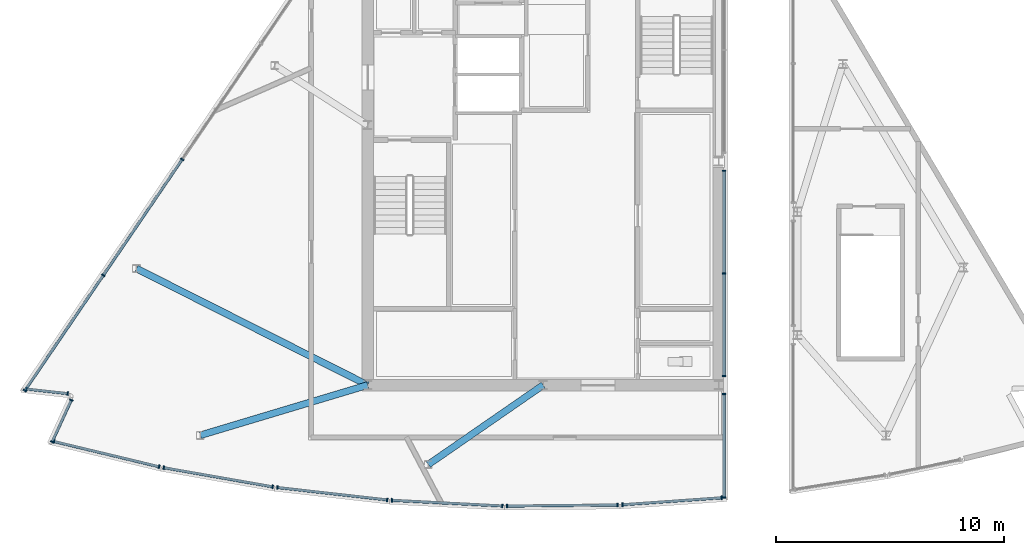
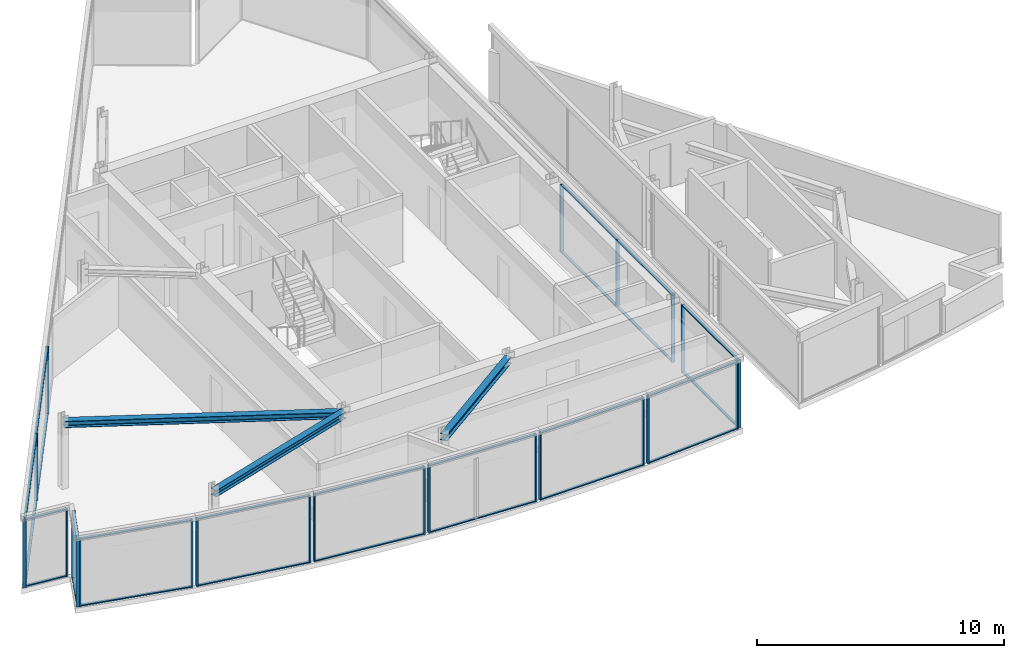
# One storey, part 3 of 13: 50 members, 3 beams, 11 elements without a shape of their own.
"""IFC4 building model written with IfcOpenShell, lengths in metres."""

from ifc_helpers import new_model, si_unit, direction, frame, origin, origin_2d, place, context, subcontext, project, spatial, rectangle, i_section, extrude, material, material_profile, profile_set, type_object, element, aggregate, save


model = new_model("IFC4")

# Units and contexts
model_context = context("Model", 3, precision=1e-05, world=origin(), true_north=direction((0.0, 1.0)))
body_context = subcontext(model_context, "Body", "Model", "MODEL_VIEW")
ifc_project = project(units=[si_unit("LENGTHUNIT", "METRE"), si_unit("AREAUNIT", "SQUARE_METRE"), si_unit("VOLUMEUNIT", "CUBIC_METRE"), si_unit("PLANEANGLEUNIT", "RADIAN"), si_unit("MASSUNIT", "GRAM", prefix="KILO")], contexts=[model_context])

# Site, building, storey
site_placement = place(None, origin())
site = spatial("IfcSite", under=ifc_project, at=site_placement, CompositionType="ELEMENT")
building_placement = place(site_placement, origin())
building = spatial("IfcBuilding", under=site, at=building_placement, Name="Savorim Split Tower", CompositionType="ELEMENT")
storey_placement = place(building_placement, frame((0.0, 0.0, 312.0)))
storey = spatial("IfcBuildingStorey", under=building, at=storey_placement, Name="Crown L83 Plant", CompositionType="ELEMENT", Elevation=312.0)

# Beams
ifc_material_1 = material(Name="Steel S355", Category="steel")
ifc_material_profile_1 = material_profile(ifc_material_1, i_section(OverallWidth=0.300048828125, OverallDepth=0.320068359375, WebThickness=0.011474609375, FlangeThickness=0.0205078125, FilletRadius=0.027099609375, at=origin_2d()), Name="HEB 320")
ifc_profile_set_1 = profile_set([ifc_material_profile_1], Name="Steel S355")
beam_type = type_object("IfcBeamType", Name="BM-PRI-HEB320", PredefinedType="BEAM", material=ifc_profile_set_1)
beam_1_placement = place(storey_placement, frame((-15.037109375, -11.6015625, 3.179931640625), z_axis=(0.957807862617, 0.287409287096, 0.0), x_axis=(-0.287409287096, 0.957807862617, 0.0)))
element("IfcBeam", 1, at=beam_1_placement, inside=storey, type_object=beam_type, Name="Crown L83 Plant West Crown Beam WBG-1", PredefinedType="BEAM", context=body_context, shape_type="SweptSolid", body=[
    extrude(i_section(OverallWidth=0.300048828125, OverallDepth=0.320068359375, WebThickness=0.011474609375, FlangeThickness=0.0205078125, FilletRadius=0.027099609375, at=origin_2d()), origin(), (0.0, 0.0, 1.0), 7.660400390625),
])
beam_2_placement = place(storey_placement, frame((-5.039794921875, -12.885009765625, 3.179931640625), z_axis=(0.82249616242, 0.568770659233, 0.0), x_axis=(-0.568770659233, 0.82249616242, 0.0)))
element("IfcBeam", 2, at=beam_2_placement, inside=storey, type_object=beam_type, Name="Crown L83 Plant West Crown Beam WBG-2", PredefinedType="BEAM", context=body_context, shape_type="SweptSolid", body=[
    extrude(i_section(OverallWidth=0.300048828125, OverallDepth=0.320068359375, WebThickness=0.011474609375, FlangeThickness=0.0205078125, FilletRadius=0.027099609375, at=origin_2d()), origin(), (0.0, 0.0, 1.0), 6.12744140625),
])
beam_3_placement = place(storey_placement, frame((-17.84033203125, -4.288818359375, 3.179931640625), z_axis=(0.892982084202, -0.450092209769, 0.0), x_axis=(0.450092209769, 0.892982084202, 0.0)))
element("IfcBeam", 3, at=beam_3_placement, inside=storey, type_object=beam_type, Name="Crown L83 Plant West Crown Beam WBG-3", PredefinedType="BEAM", context=body_context, shape_type="SweptSolid", body=[
    extrude(i_section(OverallWidth=0.300048828125, OverallDepth=0.320068359375, WebThickness=0.011474609375, FlangeThickness=0.0205078125, FilletRadius=0.027099609375, at=origin_2d()), origin(), (0.0, 0.0, 1.0), 11.355712890625),
])

# Curtain wall, members
ifc_material_2 = material(Name="Dark Ceramic-Fritted Insulated Glass", Category="glass")
curtain_wall_type = type_object("IfcCurtainWallType", Name="CW-CROWN-CREST", PredefinedType="NOTDEFINED", material=ifc_material_2)
curtain_wall_1_placement = place(storey_placement, origin())
curtain_wall_1 = element("IfcCurtainWall", 4, at=curtain_wall_1_placement, inside=storey, type_object=curtain_wall_type, Name="Crown L83 Plant Curtain Wall CW-Crown-L83-Plant-W1AS1", PredefinedType="NOTDEFINED")
ifc_material_3 = material(Name="Charcoal Anodised Aluminium", Category="aluminium")
ifc_material_profile_2 = material_profile(ifc_material_3, rectangle(XDim=0.159912109375, YDim=0.06005859375, at=origin_2d()), Name="ALU-M 160x60")
ifc_profile_set_2 = profile_set([ifc_material_profile_2], Name="Charcoal Anodised Aluminium")
member_type_1 = type_object("IfcMemberType", Name="CWM-160x60", PredefinedType="MULLION", material=ifc_profile_set_2)
member_1_placement = place(storey_placement, frame((7.929931640625, -14.339111328125, 0.0), z_axis=(0.0, 0.0, 1.0), x_axis=(-1.0, 0.0, 0.0)))
member_1 = element("IfcMember", 5, at=member_1_placement, type_object=member_type_1, Name="CW-07 mullion 1", PredefinedType="MULLION", context=body_context, shape_type="SweptSolid", body=[
    extrude(rectangle(XDim=0.159912109375, YDim=0.06005859375, at=origin_2d()), origin(), (0.0, 0.0, 1.0), 3.340087890625),
])
member_2_placement = place(storey_placement, frame((7.929931640625, -9.7958984375, 0.0), z_axis=(0.0, 0.0, 1.0), x_axis=(-1.0, 0.0, 0.0)))
member_2 = element("IfcMember", 6, at=member_2_placement, type_object=member_type_1, Name="CW-07 mullion 2", PredefinedType="MULLION", context=body_context, shape_type="SweptSolid", body=[
    extrude(rectangle(XDim=0.159912109375, YDim=0.06005859375, at=origin_2d()), origin(), (0.0, 0.0, 1.0), 3.340087890625),
])

curtain_wall_2_placement = place(storey_placement, origin())
curtain_wall_2 = element("IfcCurtainWall", 7, at=curtain_wall_2_placement, inside=storey, type_object=curtain_wall_type, Name="Crown L83 Plant Curtain Wall CW-Crown-L83-Plant-W1AS2", PredefinedType="NOTDEFINED")
member_3_placement = place(storey_placement, frame((7.929931640625, -9.00390625, 0.0), z_axis=(0.0, 0.0, 1.0), x_axis=(-1.0, 0.0, 0.0)))
member_3 = element("IfcMember", 8, at=member_3_placement, type_object=member_type_1, Name="CW-07 mullion 1", PredefinedType="MULLION", context=body_context, shape_type="SweptSolid", body=[
    extrude(rectangle(XDim=0.159912109375, YDim=0.06005859375, at=origin_2d()), origin(), (0.0, 0.0, 1.0), 3.340087890625),
])
member_4_placement = place(storey_placement, frame((7.929931640625, -4.5, 0.0), z_axis=(0.0, 0.0, 1.0), x_axis=(-1.0, 0.0, 0.0)))
member_4 = element("IfcMember", 9, at=member_4_placement, type_object=member_type_1, Name="CW-07 mullion 2", PredefinedType="MULLION", context=body_context, shape_type="SweptSolid", body=[
    extrude(rectangle(XDim=0.159912109375, YDim=0.06005859375, at=origin_2d()), origin(), (0.0, 0.0, 1.0), 3.340087890625),
])
member_5_placement = place(storey_placement, frame((7.929931640625, 0.00390625, 0.0), z_axis=(0.0, 0.0, 1.0), x_axis=(-1.0, 0.0, 0.0)))
member_5 = element("IfcMember", 10, at=member_5_placement, type_object=member_type_1, Name="CW-07 mullion 3", PredefinedType="MULLION", context=body_context, shape_type="SweptSolid", body=[
    extrude(rectangle(XDim=0.159912109375, YDim=0.06005859375, at=origin_2d()), origin(), (0.0, 0.0, 1.0), 3.340087890625),
])

curtain_wall_3_placement = place(storey_placement, origin())
curtain_wall_3 = element("IfcCurtainWall", 11, at=curtain_wall_3_placement, inside=storey, type_object=curtain_wall_type, Name="Crown L83 Plant Curtain Wall CW-Crown-L83-Plant-W5A", PredefinedType="NOTDEFINED")
member_6_placement = place(storey_placement, frame((-15.837158203125, 0.502197265625, 0.0), z_axis=(0.0, 0.0, 1.0), x_axis=(0.826820757593, -0.562465496553, 0.0)))
member_6 = element("IfcMember", 12, at=member_6_placement, type_object=member_type_1, Name="CW-07 mullion 5", PredefinedType="MULLION", context=body_context, shape_type="SweptSolid", body=[
    extrude(rectangle(XDim=0.159912109375, YDim=0.06005859375, at=origin_2d()), origin(), (0.0, 0.0, 1.0), 3.340087890625),
])
member_7_placement = place(storey_placement, frame((-19.296875, -4.583740234375, 0.0), z_axis=(0.0, 0.0, 1.0), x_axis=(0.826820757593, -0.562465496553, 0.0)))
member_7 = element("IfcMember", 13, at=member_7_placement, type_object=member_type_1, Name="CW-07 mullion 6", PredefinedType="MULLION", context=body_context, shape_type="SweptSolid", body=[
    extrude(rectangle(XDim=0.159912109375, YDim=0.06005859375, at=origin_2d()), origin(), (0.0, 0.0, 1.0), 3.340087890625),
])
member_8_placement = place(storey_placement, frame((-22.739990234375, -9.644775390625, 0.0), z_axis=(0.0, 0.0, 1.0), x_axis=(0.826820757593, -0.562465496553, 0.0)))
member_8 = element("IfcMember", 14, at=member_8_placement, type_object=member_type_1, Name="CW-07 mullion 7", PredefinedType="MULLION", context=body_context, shape_type="SweptSolid", body=[
    extrude(rectangle(XDim=0.159912109375, YDim=0.06005859375, at=origin_2d()), origin(), (0.0, 0.0, 1.0), 3.340087890625),
])

curtain_wall_4_placement = place(storey_placement, origin())
curtain_wall_4 = element("IfcCurtainWall", 15, at=curtain_wall_4_placement, inside=storey, type_object=curtain_wall_type, Name="Crown L83 Plant Curtain Wall CW-Crown-L83-Plant-W6A", PredefinedType="NOTDEFINED")
member_9_placement = place(storey_placement, frame((-22.674072265625, -9.572998046875, 0.0), z_axis=(0.0, 0.0, 1.0), x_axis=(0.110984141614, 0.993822177409, 0.0)))
member_9 = element("IfcMember", 16, at=member_9_placement, type_object=member_type_1, Name="CW-07 mullion 1", PredefinedType="MULLION", context=body_context, shape_type="SweptSolid", body=[
    extrude(rectangle(XDim=0.159912109375, YDim=0.06005859375, at=origin_2d()), origin(), (0.0, 0.0, 1.0), 3.340087890625),
])
member_10_placement = place(storey_placement, frame((-20.8583984375, -9.775634765625, 0.0), z_axis=(0.0, 0.0, 1.0), x_axis=(0.110984141614, 0.993822177409, 0.0)))
member_10 = element("IfcMember", 17, at=member_10_placement, type_object=member_type_1, Name="CW-07 mullion 2", PredefinedType="MULLION", context=body_context, shape_type="SweptSolid", body=[
    extrude(rectangle(XDim=0.159912109375, YDim=0.06005859375, at=origin_2d()), origin(), (0.0, 0.0, 1.0), 3.340087890625),
])

curtain_wall_5_placement = place(storey_placement, origin())
curtain_wall_5 = element("IfcCurtainWall", 18, at=curtain_wall_5_placement, inside=storey, type_object=curtain_wall_type, Name="Crown L83 Plant Curtain Wall CW-Crown-L83-Plant-W7A", PredefinedType="NOTDEFINED")
member_11_placement = place(storey_placement, frame((-20.699462890625, -10.05712890625, 0.0), z_axis=(0.0, 0.0, 1.0), x_axis=(0.908682759749, -0.417487295778, 0.0)))
member_11 = element("IfcMember", 19, at=member_11_placement, type_object=member_type_1, Name="CW-07 mullion 1", PredefinedType="MULLION", context=body_context, shape_type="SweptSolid", body=[
    extrude(rectangle(XDim=0.159912109375, YDim=0.06005859375, at=origin_2d()), origin(), (0.0, 0.0, 1.0), 3.340087890625),
])
member_12_placement = place(storey_placement, frame((-21.542724609375, -11.892578125, 0.0), z_axis=(0.0, 0.0, 1.0), x_axis=(0.908682759749, -0.417487295778, 0.0)))
member_12 = element("IfcMember", 20, at=member_12_placement, type_object=member_type_1, Name="CW-07 mullion 2", PredefinedType="MULLION", context=body_context, shape_type="SweptSolid", body=[
    extrude(rectangle(XDim=0.159912109375, YDim=0.06005859375, at=origin_2d()), origin(), (0.0, 0.0, 1.0), 3.340087890625),
])

curtain_wall_6_placement = place(storey_placement, origin())
curtain_wall_6 = element("IfcCurtainWall", 21, at=curtain_wall_6_placement, inside=storey, type_object=curtain_wall_type, Name="Crown L83 Plant Curtain Wall CW-Crown-L83-Plant-W8A", PredefinedType="NOTDEFINED")
member_13_placement = place(storey_placement, frame((-21.46044921875, -11.8759765625, 0.0), z_axis=(0.0, 0.0, 1.0), x_axis=(0.233163393397, 0.972437572279, 0.0)))
member_13 = element("IfcMember", 22, at=member_13_placement, type_object=member_type_1, Name="CW-07 mullion 1", PredefinedType="MULLION", context=body_context, shape_type="SweptSolid", body=[
    extrude(rectangle(XDim=0.159912109375, YDim=0.06005859375, at=origin_2d()), origin(), (0.0, 0.0, 1.0), 3.340087890625),
])
member_14_placement = place(storey_placement, frame((-16.850341796875, -12.981201171875, 0.0), z_axis=(0.0, 0.0, 1.0), x_axis=(0.233163393397, 0.972437572279, 0.0)))
member_14 = element("IfcMember", 23, at=member_14_placement, type_object=member_type_1, Name="CW-07 mullion 2", PredefinedType="MULLION", context=body_context, shape_type="SweptSolid", body=[
    extrude(rectangle(XDim=0.159912109375, YDim=0.06005859375, at=origin_2d()), origin(), (0.0, 0.0, 1.0), 3.340087890625),
])

curtain_wall_7_placement = place(storey_placement, origin())
curtain_wall_7 = element("IfcCurtainWall", 24, at=curtain_wall_7_placement, inside=storey, type_object=curtain_wall_type, Name="Crown L83 Plant Curtain Wall CW-Crown-L83-Plant-W9A", PredefinedType="NOTDEFINED")
member_15_placement = place(storey_placement, frame((-16.64208984375, -13.0244140625, 0.0), z_axis=(0.0, 0.0, 1.0), x_axis=(0.173059673092, 0.984911340959, 0.0)))
member_15 = element("IfcMember", 25, at=member_15_placement, type_object=member_type_1, Name="CW-07 mullion 1", PredefinedType="MULLION", context=body_context, shape_type="SweptSolid", body=[
    extrude(rectangle(XDim=0.159912109375, YDim=0.06005859375, at=origin_2d()), origin(), (0.0, 0.0, 1.0), 3.340087890625),
])
member_16_placement = place(storey_placement, frame((-11.869384765625, -13.863037109375, 0.0), z_axis=(0.0, 0.0, 1.0), x_axis=(0.173059673092, 0.984911340959, 0.0)))
member_16 = element("IfcMember", 26, at=member_16_placement, type_object=member_type_1, Name="CW-07 mullion 2", PredefinedType="MULLION", context=body_context, shape_type="SweptSolid", body=[
    extrude(rectangle(XDim=0.159912109375, YDim=0.06005859375, at=origin_2d()), origin(), (0.0, 0.0, 1.0), 3.340087890625),
])

curtain_wall_8_placement = place(storey_placement, origin())
curtain_wall_8 = element("IfcCurtainWall", 27, at=curtain_wall_8_placement, inside=storey, type_object=curtain_wall_type, Name="Crown L83 Plant Curtain Wall CW-Crown-L83-Plant-W10A", PredefinedType="NOTDEFINED")
member_17_placement = place(storey_placement, frame((-11.6591796875, -13.893310546875, 0.0), z_axis=(0.0, 0.0, 1.0), x_axis=(0.1123329465, 0.993670624065, 0.0)))
member_17 = element("IfcMember", 28, at=member_17_placement, type_object=member_type_1, Name="CW-07 mullion 1", PredefinedType="MULLION", context=body_context, shape_type="SweptSolid", body=[
    extrude(rectangle(XDim=0.159912109375, YDim=0.06005859375, at=origin_2d()), origin(), (0.0, 0.0, 1.0), 3.340087890625),
])
member_18_placement = place(storey_placement, frame((-6.84375, -14.437744140625, 0.0), z_axis=(0.0, 0.0, 1.0), x_axis=(0.1123329465, 0.993670624065, 0.0)))
member_18 = element("IfcMember", 29, at=member_18_placement, type_object=member_type_1, Name="CW-07 mullion 2", PredefinedType="MULLION", context=body_context, shape_type="SweptSolid", body=[
    extrude(rectangle(XDim=0.159912109375, YDim=0.06005859375, at=origin_2d()), origin(), (0.0, 0.0, 1.0), 3.340087890625),
])

curtain_wall_9_placement = place(storey_placement, origin())
curtain_wall_9 = element("IfcCurtainWall", 30, at=curtain_wall_9_placement, inside=storey, type_object=curtain_wall_type, Name="Crown L83 Plant Curtain Wall CW-Crown-L83-Plant-W11A", PredefinedType="NOTDEFINED")
member_19_placement = place(storey_placement, frame((-6.632080078125, -14.455078125, 0.0), z_axis=(0.0, 0.0, 1.0), x_axis=(0.051143334498, 0.998691323351, 0.0)))
member_19 = element("IfcMember", 31, at=member_19_placement, type_object=member_type_1, Name="CW-07 mullion 1", PredefinedType="MULLION", context=body_context, shape_type="SweptSolid", body=[
    extrude(rectangle(XDim=0.159912109375, YDim=0.06005859375, at=origin_2d()), origin(), (0.0, 0.0, 1.0), 3.340087890625),
])
member_20_placement = place(storey_placement, frame((-1.79248046875, -14.702880859375, 0.0), z_axis=(0.0, 0.0, 1.0), x_axis=(0.051143334498, 0.998691323351, 0.0)))
member_20 = element("IfcMember", 32, at=member_20_placement, type_object=member_type_1, Name="CW-07 mullion 2", PredefinedType="MULLION", context=body_context, shape_type="SweptSolid", body=[
    extrude(rectangle(XDim=0.159912109375, YDim=0.06005859375, at=origin_2d()), origin(), (0.0, 0.0, 1.0), 3.340087890625),
])

curtain_wall_10_placement = place(storey_placement, origin())
curtain_wall_10 = element("IfcCurtainWall", 33, at=curtain_wall_10_placement, inside=storey, type_object=curtain_wall_type, Name="Crown L83 Plant Curtain Wall CW-Crown-L83-Plant-W12A", PredefinedType="NOTDEFINED")
member_21_placement = place(storey_placement, frame((-1.580078125, -14.707275390625, 0.0), z_axis=(0.0, 0.0, 1.0), x_axis=(-0.010232667101, 0.999947644891, 0.0)))
member_21 = element("IfcMember", 34, at=member_21_placement, type_object=member_type_1, Name="CW-07 mullion 1", PredefinedType="MULLION", context=body_context, shape_type="SweptSolid", body=[
    extrude(rectangle(XDim=0.159912109375, YDim=0.06005859375, at=origin_2d()), origin(), (0.0, 0.0, 1.0), 3.340087890625),
])
member_22_placement = place(storey_placement, frame((3.265625, -14.65771484375, 0.0), z_axis=(0.0, 0.0, 1.0), x_axis=(-0.010232667101, 0.999947644891, 0.0)))
member_22 = element("IfcMember", 35, at=member_22_placement, type_object=member_type_1, Name="CW-07 mullion 2", PredefinedType="MULLION", context=body_context, shape_type="SweptSolid", body=[
    extrude(rectangle(XDim=0.159912109375, YDim=0.06005859375, at=origin_2d()), origin(), (0.0, 0.0, 1.0), 3.340087890625),
])

curtain_wall_11_placement = place(storey_placement, origin())
curtain_wall_11 = element("IfcCurtainWall", 36, at=curtain_wall_11_placement, inside=storey, type_object=curtain_wall_type, Name="Crown L83 Plant Curtain Wall CW-Crown-L83-Plant-W13A", PredefinedType="NOTDEFINED")
member_23_placement = place(storey_placement, frame((3.47802734375, -14.649169921875, 0.0), z_axis=(0.0, 0.0, 1.0), x_axis=(-0.069891495788, 0.997554599416, 0.0)))
member_23 = element("IfcMember", 37, at=member_23_placement, type_object=member_type_1, Name="CW-07 mullion 1", PredefinedType="MULLION", context=body_context, shape_type="SweptSolid", body=[
    extrude(rectangle(XDim=0.159912109375, YDim=0.06005859375, at=origin_2d()), origin(), (0.0, 0.0, 1.0), 3.340087890625),
])
member_24_placement = place(storey_placement, frame((7.8271484375, -14.344482421875, 0.0), z_axis=(0.0, 0.0, 1.0), x_axis=(-0.069891495788, 0.997554599416, 0.0)))
member_24 = element("IfcMember", 38, at=member_24_placement, type_object=member_type_1, Name="CW-07 mullion 2", PredefinedType="MULLION", context=body_context, shape_type="SweptSolid", body=[
    extrude(rectangle(XDim=0.159912109375, YDim=0.06005859375, at=origin_2d()), origin(), (0.0, 0.0, 1.0), 3.340087890625),
])

# Member
ifc_material_profile_3 = material_profile(ifc_material_3, rectangle(XDim=0.1201171875, YDim=0.050048828125, at=origin_2d()), Name="ALU-T 120x50")
ifc_profile_set_3 = profile_set([ifc_material_profile_3], Name="Charcoal Anodised Aluminium")
member_type_2 = type_object("IfcMemberType", Name="CWT-120x50", PredefinedType="USERDEFINED", material=ifc_profile_set_3)
member_25_placement = place(storey_placement, frame((7.929931640625, -14.30908203125, 0.02490234375), z_axis=(0.0, 1.0, 0.0), x_axis=(-1.0, 0.0, 0.0)))
member_25 = element("IfcMember", 39, at=member_25_placement, type_object=member_type_2, Name="CW-07 transom 1.1", ObjectType="TRANSOM", PredefinedType="USERDEFINED", context=body_context, shape_type="SweptSolid", body=[
    extrude(rectangle(XDim=0.1201171875, YDim=0.050048828125, at=origin_2d()), origin(), (0.0, 0.0, 1.0), 4.483154296875),
])

member_26_placement = place(storey_placement, frame((7.929931640625, -14.30908203125, 3.31494140625), z_axis=(0.0, 1.0, 0.0), x_axis=(-1.0, 0.0, 0.0)))
member_26 = element("IfcMember", 40, at=member_26_placement, type_object=member_type_2, Name="CW-07 transom 1.2", ObjectType="TRANSOM", PredefinedType="USERDEFINED", context=body_context, shape_type="SweptSolid", body=[
    extrude(rectangle(XDim=0.1201171875, YDim=0.050048828125, at=origin_2d()), origin(), (0.0, 0.0, 1.0), 4.483154296875),
])

aggregate(curtain_wall_1, [member_1, member_2, member_25, member_26])

member_27_placement = place(storey_placement, frame((7.929931640625, -8.97412109375, 0.02490234375), z_axis=(0.0, 1.0, 0.0), x_axis=(-1.0, 0.0, 0.0)))
member_27 = element("IfcMember", 41, at=member_27_placement, type_object=member_type_2, Name="CW-07 transom 1.1", ObjectType="TRANSOM", PredefinedType="USERDEFINED", context=body_context, shape_type="SweptSolid", body=[
    extrude(rectangle(XDim=0.1201171875, YDim=0.050048828125, at=origin_2d()), origin(), (0.0, 0.0, 1.0), 4.444091796875),
])

member_28_placement = place(storey_placement, frame((7.929931640625, -8.97412109375, 3.31494140625), z_axis=(0.0, 1.0, 0.0), x_axis=(-1.0, 0.0, 0.0)))
member_28 = element("IfcMember", 42, at=member_28_placement, type_object=member_type_2, Name="CW-07 transom 1.2", ObjectType="TRANSOM", PredefinedType="USERDEFINED", context=body_context, shape_type="SweptSolid", body=[
    extrude(rectangle(XDim=0.1201171875, YDim=0.050048828125, at=origin_2d()), origin(), (0.0, 0.0, 1.0), 4.444091796875),
])

member_29_placement = place(storey_placement, frame((7.929931640625, -4.469970703125, 0.02490234375), z_axis=(0.0, 1.0, 0.0), x_axis=(-1.0, 0.0, 0.0)))
member_29 = element("IfcMember", 43, at=member_29_placement, type_object=member_type_2, Name="CW-07 transom 2.1", ObjectType="TRANSOM", PredefinedType="USERDEFINED", context=body_context, shape_type="SweptSolid", body=[
    extrude(rectangle(XDim=0.1201171875, YDim=0.050048828125, at=origin_2d()), origin(), (0.0, 0.0, 1.0), 4.444091796875),
])

member_30_placement = place(storey_placement, frame((7.929931640625, -4.469970703125, 3.31494140625), z_axis=(0.0, 1.0, 0.0), x_axis=(-1.0, 0.0, 0.0)))
member_30 = element("IfcMember", 44, at=member_30_placement, type_object=member_type_2, Name="CW-07 transom 2.2", ObjectType="TRANSOM", PredefinedType="USERDEFINED", context=body_context, shape_type="SweptSolid", body=[
    extrude(rectangle(XDim=0.1201171875, YDim=0.050048828125, at=origin_2d()), origin(), (0.0, 0.0, 1.0), 4.444091796875),
])

aggregate(curtain_wall_2, [member_3, member_4, member_5, member_27, member_28, member_29, member_30])

member_31_placement = place(storey_placement, frame((-15.85400390625, 0.477294921875, 0.02490234375), z_axis=(-0.562454724878, -0.826828085192, 0.0), x_axis=(0.826828085192, -0.562454724878, 0.0)))
member_31 = element("IfcMember", 45, at=member_31_placement, type_object=member_type_2, Name="CW-07 transom 5.1", ObjectType="TRANSOM", PredefinedType="USERDEFINED", context=body_context, shape_type="SweptSolid", body=[
    extrude(rectangle(XDim=0.1201171875, YDim=0.050048828125, at=origin_2d()), origin(), (0.0, 0.0, 1.0), 6.09130859375),
])

member_32_placement = place(storey_placement, frame((-15.85400390625, 0.477294921875, 3.31494140625), z_axis=(-0.562454724878, -0.826828085192, 0.0), x_axis=(0.826828085192, -0.562454724878, 0.0)))
member_32 = element("IfcMember", 46, at=member_32_placement, type_object=member_type_2, Name="CW-07 transom 5.2", ObjectType="TRANSOM", PredefinedType="USERDEFINED", context=body_context, shape_type="SweptSolid", body=[
    extrude(rectangle(XDim=0.1201171875, YDim=0.050048828125, at=origin_2d()), origin(), (0.0, 0.0, 1.0), 6.09130859375),
])

member_33_placement = place(storey_placement, frame((-19.313720703125, -4.608642578125, 0.02490234375), z_axis=(-0.562492892619, -0.826802120071, 0.0), x_axis=(0.826802120071, -0.562492892619, 0.0)))
member_33 = element("IfcMember", 47, at=member_33_placement, type_object=member_type_2, Name="CW-07 transom 6.1", ObjectType="TRANSOM", PredefinedType="USERDEFINED", context=body_context, shape_type="SweptSolid", body=[
    extrude(rectangle(XDim=0.1201171875, YDim=0.050048828125, at=origin_2d()), origin(), (0.0, 0.0, 1.0), 6.061279296875),
])

member_34_placement = place(storey_placement, frame((-19.313720703125, -4.608642578125, 3.31494140625), z_axis=(-0.562492892619, -0.826802120071, 0.0), x_axis=(0.826802120071, -0.562492892619, 0.0)))
member_34 = element("IfcMember", 48, at=member_34_placement, type_object=member_type_2, Name="CW-07 transom 6.2", ObjectType="TRANSOM", PredefinedType="USERDEFINED", context=body_context, shape_type="SweptSolid", body=[
    extrude(rectangle(XDim=0.1201171875, YDim=0.050048828125, at=origin_2d()), origin(), (0.0, 0.0, 1.0), 6.061279296875),
])

aggregate(curtain_wall_3, [member_6, member_7, member_8, member_31, member_32, member_33, member_34])

member_35_placement = place(storey_placement, frame((-22.644287109375, -9.576171875, 0.02490234375), z_axis=(0.993809363876, -0.111098822102, 0.0), x_axis=(0.111098822102, 0.993809363876, 0.0)))
member_35 = element("IfcMember", 49, at=member_35_placement, type_object=member_type_2, Name="CW-07 transom 1.1", ObjectType="TRANSOM", PredefinedType="USERDEFINED", context=body_context, shape_type="SweptSolid", body=[
    extrude(rectangle(XDim=0.1201171875, YDim=0.050048828125, at=origin_2d()), origin(), (0.0, 0.0, 1.0), 1.766845703125),
])

member_36_placement = place(storey_placement, frame((-22.644287109375, -9.576171875, 3.31494140625), z_axis=(0.993809363876, -0.111098822102, 0.0), x_axis=(0.111098822102, 0.993809363876, 0.0)))
member_36 = element("IfcMember", 50, at=member_36_placement, type_object=member_type_2, Name="CW-07 transom 1.2", ObjectType="TRANSOM", PredefinedType="USERDEFINED", context=body_context, shape_type="SweptSolid", body=[
    extrude(rectangle(XDim=0.1201171875, YDim=0.050048828125, at=origin_2d()), origin(), (0.0, 0.0, 1.0), 1.766845703125),
])

aggregate(curtain_wall_4, [member_9, member_10, member_35, member_36])

member_37_placement = place(storey_placement, frame((-20.7119140625, -10.08447265625, 0.02490234375), z_axis=(-0.417469589707, -0.908690894457, 0.0), x_axis=(0.908690894457, -0.417469589707, 0.0)))
member_37 = element("IfcMember", 51, at=member_37_placement, type_object=member_type_2, Name="CW-07 transom 1.1", ObjectType="TRANSOM", PredefinedType="USERDEFINED", context=body_context, shape_type="SweptSolid", body=[
    extrude(rectangle(XDim=0.1201171875, YDim=0.050048828125, at=origin_2d()), origin(), (0.0, 0.0, 1.0), 1.959716796875),
])

member_38_placement = place(storey_placement, frame((-20.7119140625, -10.08447265625, 3.31494140625), z_axis=(-0.417469589707, -0.908690894457, 0.0), x_axis=(0.908690894457, -0.417469589707, 0.0)))
member_38 = element("IfcMember", 52, at=member_38_placement, type_object=member_type_2, Name="CW-07 transom 1.2", ObjectType="TRANSOM", PredefinedType="USERDEFINED", context=body_context, shape_type="SweptSolid", body=[
    extrude(rectangle(XDim=0.1201171875, YDim=0.050048828125, at=origin_2d()), origin(), (0.0, 0.0, 1.0), 1.959716796875),
])

aggregate(curtain_wall_5, [member_11, member_12, member_37, member_38])

member_39_placement = place(storey_placement, frame((-21.431396484375, -11.8828125, 0.02490234375), z_axis=(0.97243225884, -0.233185552656, 0.0), x_axis=(0.233185552656, 0.97243225884, 0.0)))
member_39 = element("IfcMember", 53, at=member_39_placement, type_object=member_type_2, Name="CW-07 transom 1.1", ObjectType="TRANSOM", PredefinedType="USERDEFINED", context=body_context, shape_type="SweptSolid", body=[
    extrude(rectangle(XDim=0.1201171875, YDim=0.050048828125, at=origin_2d()), origin(), (0.0, 0.0, 1.0), 4.68115234375),
])

member_40_placement = place(storey_placement, frame((-21.431396484375, -11.8828125, 3.31494140625), z_axis=(0.97243225884, -0.233185552656, 0.0), x_axis=(0.233185552656, 0.97243225884, 0.0)))
member_40 = element("IfcMember", 54, at=member_40_placement, type_object=member_type_2, Name="CW-07 transom 1.2", ObjectType="TRANSOM", PredefinedType="USERDEFINED", context=body_context, shape_type="SweptSolid", body=[
    extrude(rectangle(XDim=0.1201171875, YDim=0.050048828125, at=origin_2d()), origin(), (0.0, 0.0, 1.0), 4.68115234375),
])

aggregate(curtain_wall_6, [member_13, member_14, member_39, member_40])

member_41_placement = place(storey_placement, frame((-16.612548828125, -13.02978515625, 0.02490234375), z_axis=(0.984915259084, -0.173037372912, 0.0), x_axis=(0.173037372912, 0.984915259084, 0.0)))
member_41 = element("IfcMember", 55, at=member_41_placement, type_object=member_type_2, Name="CW-07 transom 1.1", ObjectType="TRANSOM", PredefinedType="USERDEFINED", context=body_context, shape_type="SweptSolid", body=[
    extrude(rectangle(XDim=0.1201171875, YDim=0.050048828125, at=origin_2d()), origin(), (0.0, 0.0, 1.0), 4.785888671875),
])

member_42_placement = place(storey_placement, frame((-16.612548828125, -13.02978515625, 3.31494140625), z_axis=(0.984915259084, -0.173037372912, 0.0), x_axis=(0.173037372912, 0.984915259084, 0.0)))
member_42 = element("IfcMember", 56, at=member_42_placement, type_object=member_type_2, Name="CW-07 transom 1.2", ObjectType="TRANSOM", PredefinedType="USERDEFINED", context=body_context, shape_type="SweptSolid", body=[
    extrude(rectangle(XDim=0.1201171875, YDim=0.050048828125, at=origin_2d()), origin(), (0.0, 0.0, 1.0), 4.785888671875),
])

aggregate(curtain_wall_7, [member_15, member_16, member_41, member_42])

member_43_placement = place(storey_placement, frame((-11.62939453125, -13.896728515625, 0.02490234375), z_axis=(0.993671673107, -0.112323666539, 0.0), x_axis=(0.112323666539, 0.993671673107, 0.0)))
member_43 = element("IfcMember", 57, at=member_43_placement, type_object=member_type_2, Name="CW-07 transom 1.1", ObjectType="TRANSOM", PredefinedType="USERDEFINED", context=body_context, shape_type="SweptSolid", body=[
    extrude(rectangle(XDim=0.1201171875, YDim=0.050048828125, at=origin_2d()), origin(), (0.0, 0.0, 1.0), 4.7861328125),
])

member_44_placement = place(storey_placement, frame((-11.62939453125, -13.896728515625, 3.31494140625), z_axis=(0.993671673107, -0.112323666539, 0.0), x_axis=(0.112323666539, 0.993671673107, 0.0)))
member_44 = element("IfcMember", 58, at=member_44_placement, type_object=member_type_2, Name="CW-07 transom 1.2", ObjectType="TRANSOM", PredefinedType="USERDEFINED", context=body_context, shape_type="SweptSolid", body=[
    extrude(rectangle(XDim=0.1201171875, YDim=0.050048828125, at=origin_2d()), origin(), (0.0, 0.0, 1.0), 4.7861328125),
])

aggregate(curtain_wall_8, [member_17, member_18, member_43, member_44])

member_45_placement = place(storey_placement, frame((-6.60205078125, -14.45654296875, 0.02490234375), z_axis=(0.998690137716, -0.05116648149, 0.0), x_axis=(0.05116648149, 0.998690137716, 0.0)))
member_45 = element("IfcMember", 59, at=member_45_placement, type_object=member_type_2, Name="CW-07 transom 1.1", ObjectType="TRANSOM", PredefinedType="USERDEFINED", context=body_context, shape_type="SweptSolid", body=[
    extrude(rectangle(XDim=0.1201171875, YDim=0.050048828125, at=origin_2d()), origin(), (0.0, 0.0, 1.0), 4.785888671875),
])

member_46_placement = place(storey_placement, frame((-6.60205078125, -14.45654296875, 3.31494140625), z_axis=(0.998690137716, -0.05116648149, 0.0), x_axis=(0.05116648149, 0.998690137716, 0.0)))
member_46 = element("IfcMember", 60, at=member_46_placement, type_object=member_type_2, Name="CW-07 transom 1.2", ObjectType="TRANSOM", PredefinedType="USERDEFINED", context=body_context, shape_type="SweptSolid", body=[
    extrude(rectangle(XDim=0.1201171875, YDim=0.050048828125, at=origin_2d()), origin(), (0.0, 0.0, 1.0), 4.785888671875),
])

aggregate(curtain_wall_9, [member_19, member_20, member_45, member_46])

member_47_placement = place(storey_placement, frame((-1.550048828125, -14.706787109375, 0.02490234375), z_axis=(0.999947953046, 0.010202509469, 0.0), x_axis=(-0.010202509469, 0.999947953046, 0.0)))
member_47 = element("IfcMember", 61, at=member_47_placement, type_object=member_type_2, Name="CW-07 transom 1.1", ObjectType="TRANSOM", PredefinedType="USERDEFINED", context=body_context, shape_type="SweptSolid", body=[
    extrude(rectangle(XDim=0.1201171875, YDim=0.050048828125, at=origin_2d()), origin(), (0.0, 0.0, 1.0), 4.785888671875),
])

member_48_placement = place(storey_placement, frame((-1.550048828125, -14.706787109375, 3.31494140625), z_axis=(0.999947953046, 0.010202509469, 0.0), x_axis=(-0.010202509469, 0.999947953046, 0.0)))
member_48 = element("IfcMember", 62, at=member_48_placement, type_object=member_type_2, Name="CW-07 transom 1.2", ObjectType="TRANSOM", PredefinedType="USERDEFINED", context=body_context, shape_type="SweptSolid", body=[
    extrude(rectangle(XDim=0.1201171875, YDim=0.050048828125, at=origin_2d()), origin(), (0.0, 0.0, 1.0), 4.785888671875),
])

aggregate(curtain_wall_10, [member_21, member_22, member_47, member_48])

member_49_placement = place(storey_placement, frame((3.508056640625, -14.64697265625, 0.02490234375), z_axis=(0.997554337407, 0.069895235321, 0.0), x_axis=(-0.069895235321, 0.997554337407, 0.0)))
member_49 = element("IfcMember", 63, at=member_49_placement, type_object=member_type_2, Name="CW-07 transom 1.1", ObjectType="TRANSOM", PredefinedType="USERDEFINED", context=body_context, shape_type="SweptSolid", body=[
    extrude(rectangle(XDim=0.1201171875, YDim=0.050048828125, at=origin_2d()), origin(), (0.0, 0.0, 1.0), 4.2998046875),
])

member_50_placement = place(storey_placement, frame((3.508056640625, -14.64697265625, 3.31494140625), z_axis=(0.997554337407, 0.069895235321, 0.0), x_axis=(-0.069895235321, 0.997554337407, 0.0)))
member_50 = element("IfcMember", 64, at=member_50_placement, type_object=member_type_2, Name="CW-07 transom 1.2", ObjectType="TRANSOM", PredefinedType="USERDEFINED", context=body_context, shape_type="SweptSolid", body=[
    extrude(rectangle(XDim=0.1201171875, YDim=0.050048828125, at=origin_2d()), origin(), (0.0, 0.0, 1.0), 4.2998046875),
])

aggregate(curtain_wall_11, [member_23, member_24, member_49, member_50])

save(model, "model.ifc")
